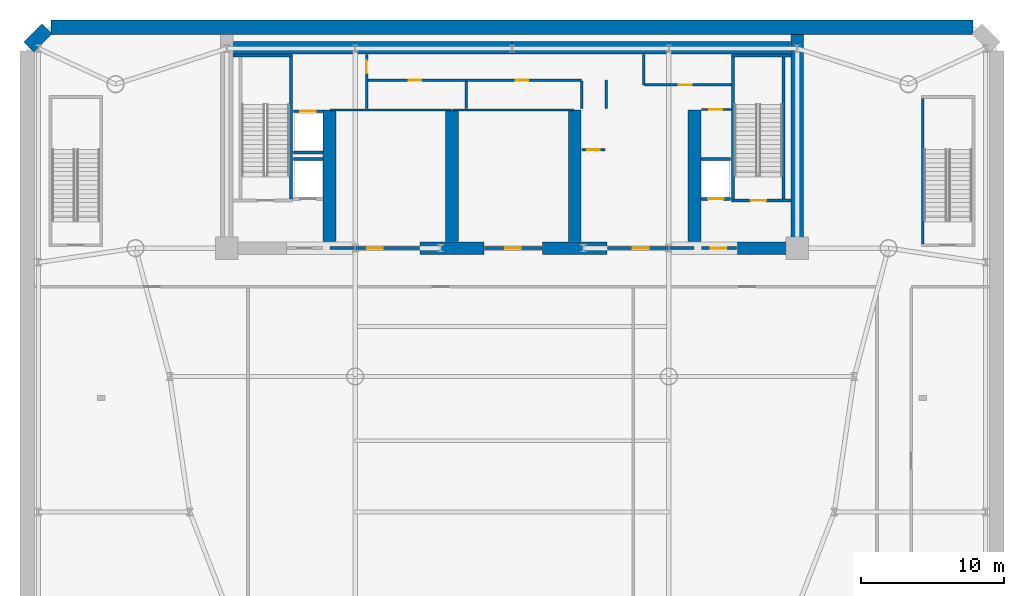
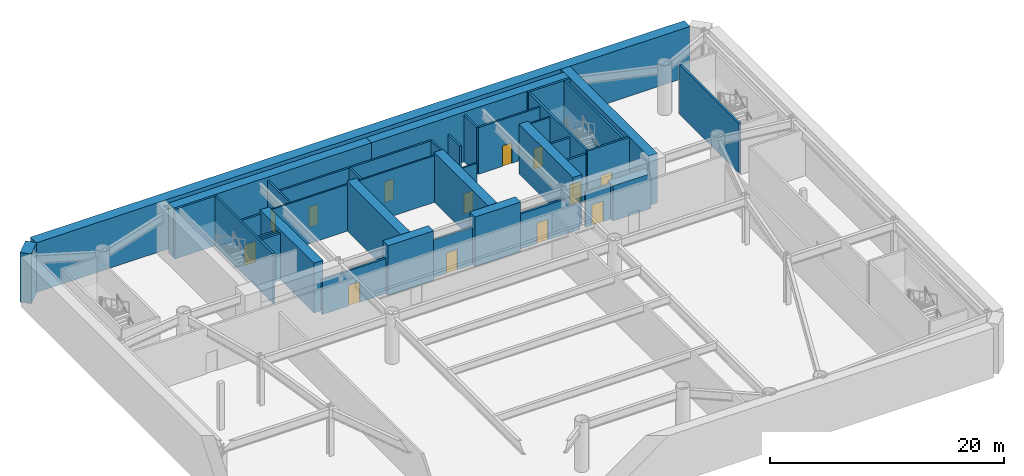
# One storey, part 3 of 9: 39 walls, 13 doors, 13 openings.
"""IFC4 building model written with IfcOpenShell, lengths in metres."""

from ifc_helpers import new_model, si_unit, direction, frame, frame_2d, origin, place, context, subcontext, project, spatial, rectangle, extrude, source, transform, mapped, material, layer, layer_set, type_object, element, fill, save


model = new_model("IFC4")

# Units and contexts
model_context = context("Model", 3, precision=1e-05, world=origin(), true_north=direction((0.0, 1.0)))
body_context = subcontext(model_context, "Body", "Model", "MODEL_VIEW")
ifc_project = project(units=[si_unit("LENGTHUNIT", "METRE"), si_unit("AREAUNIT", "SQUARE_METRE"), si_unit("VOLUMEUNIT", "CUBIC_METRE"), si_unit("PLANEANGLEUNIT", "RADIAN"), si_unit("MASSUNIT", "GRAM", prefix="KILO")], contexts=[model_context])

# Site, building, storey
site_placement = place(None, origin())
site = spatial("IfcSite", under=ifc_project, at=site_placement, CompositionType="ELEMENT")
building_placement = place(site_placement, origin())
building = spatial("IfcBuilding", under=site, at=building_placement, Name="Vaeldorn Concourse Tower", CompositionType="ELEMENT")
storey_placement = place(building_placement, frame((0.0, 0.0, -5.199951171875)))
storey = spatial("IfcBuildingStorey", under=building, at=storey_placement, Name="B01", CompositionType="ELEMENT", Elevation=-5.199951171875)

# Walls
ifc_material_1 = material(Name="Concrete C60/75", Category="concrete")
ifc_layer_1 = layer(ifc_material_1, 0.89990234375)
ifc_layer_set_1 = layer_set([ifc_layer_1], Name="Concrete C60/75")
wall_type_1 = type_object("IfcWallType", Name="WL-CORE-900", PredefinedType="SHEAR", material=ifc_layer_set_1)
for number, where, z_axis, x_axis, name in (
    (1, (14.4541015625, 50.550048828125, 0.0), (0.0, 0.0, 1.0), (1.0, 0.0, 0.0), "Rear Core Shear Wall B01 N1"),
    (2, (34.001953125, 50.550048828125, 0.0), (0.0, 0.0, 1.0), (1.0, 0.0, 0.0), "Rear Core Shear Wall B01 N2"),
):
    element("IfcWall", number, at=place(storey_placement, frame(where, z_axis=z_axis, x_axis=x_axis)), inside=storey, type_object=wall_type_1, Name=name, PredefinedType="SHEAR", context=body_context, shape_type="SweptSolid", body=[
        extrude(rectangle(XDim=19.5439453125, YDim=0.89990234375, at=frame_2d((9.77197265625, 0.0))), origin(), (0.0, 0.0, 1.0), 5.199951171875),
    ])
wall_1_placement = place(storey_placement, frame((54.0, 36.5, 0.0), z_axis=(0.0, 0.0, 1.0), x_axis=(0.0, 1.0, 0.0)))
element("IfcWall", 3, at=wall_1_placement, inside=storey, type_object=wall_type_1, Name="Rear Core Shear Wall B01 E1", PredefinedType="SHEAR", context=body_context, shape_type="SweptSolid", body=[
    extrude(rectangle(XDim=15.0, YDim=0.89990234375, at=frame_2d((7.5, 0.0))), origin(), (0.0, 0.0, 1.0), 5.199951171875),
])
for number, where, z_axis, x_axis, name in (
    (4, (27.550048828125, 36.5, 0.0), (0.0, 0.0, 1.0), (1.0, 0.0, 0.0), "Rear Core Shear Wall B01 S2"),
    (5, (36.14990234375, 36.5, 0.0), (0.0, 0.0, 1.0), (1.0, 0.0, 0.0), "Rear Core Shear Wall B01 S3"),
):
    element("IfcWall", number, at=place(storey_placement, frame(where, z_axis=z_axis, x_axis=x_axis)), inside=storey, type_object=wall_type_1, Name=name, PredefinedType="SHEAR", context=body_context, shape_type="SweptSolid", body=[
        extrude(rectangle(XDim=4.5, YDim=0.89990234375, at=frame_2d((2.25, 0.0))), origin(), (0.0, 0.0, 1.0), 5.199951171875),
    ])
wall_2_placement = place(storey_placement, frame((49.800048828125, 36.5, 0.0), z_axis=(0.0, 0.0, 1.0), x_axis=(1.0, 0.0, 0.0)))
element("IfcWall", 6, at=wall_2_placement, inside=storey, type_object=wall_type_1, Name="Rear Core Shear Wall B01 S4", PredefinedType="SHEAR", context=body_context, shape_type="SweptSolid", body=[
    extrude(rectangle(XDim=3.72998046875, YDim=0.89990234375, at=frame_2d((1.864990234375, 0.0))), origin(), (0.0, 0.0, 1.0), 3.679931640625),
])
for number, where, z_axis, x_axis, name in (
    (7, (21.199951171875, 36.969970703125, 0.0), (0.0, 0.0, 1.0), (0.0, 1.0, 0.0), "Rear Core Shear Wall B01 M1"),
    (8, (29.800048828125, 36.969970703125, 0.0), (0.0, 0.0, 1.0), (0.0, 1.0, 0.0), "Rear Core Shear Wall B01 M2"),
    (9, (38.39990234375, 36.969970703125, 0.0), (0.0, 0.0, 1.0), (0.0, 1.0, 0.0), "Rear Core Shear Wall B01 M3"),
    (10, (46.800048828125, 36.969970703125, 0.0), (0.0, 0.0, 1.0), (0.0, 1.0, 0.0), "Rear Core Shear Wall B01 M4"),
):
    element("IfcWall", number, at=place(storey_placement, frame(where, z_axis=z_axis, x_axis=x_axis)), inside=storey, type_object=wall_type_1, Name=name, PredefinedType="SHEAR", context=body_context, shape_type="SweptSolid", body=[
        extrude(rectangle(XDim=9.22998046875, YDim=0.89990234375, at=frame_2d((4.614990234375, 0.0))), origin(), (0.0, 0.0, 1.0), 5.199951171875),
    ])
ifc_material_2 = material(Name="Concrete C50/60", Category="concrete")
ifc_layer_2 = layer(ifc_material_2, 1.0)
ifc_layer_set_2 = layer_set([ifc_layer_2], Name="Concrete C50/60")
wall_type_2 = type_object("IfcWallType", Name="WL-DIAPH-1000", PredefinedType="STANDARD", material=ifc_layer_set_2)
wall_3_placement = place(storey_placement, frame((66.340087890625, 52.0, 0.0), z_axis=(0.0, 0.0, 1.0), x_axis=(-1.0, 0.0, 0.0)))
element("IfcWall", 11, at=wall_3_placement, inside=storey, type_object=wall_type_2, Name="Substructure Diaphragm Wall B01-05", PredefinedType="STANDARD", context=body_context, shape_type="SweptSolid", body=[
    extrude(rectangle(XDim=64.68017578125, YDim=1.0, at=frame_2d((32.340087890625, 0.0))), origin(), (0.0, 0.0, 1.0), 5.199951171875),
])
wall_4_placement = place(storey_placement, frame((1.386962890625, 51.886962890625, 0.0), z_axis=(0.0, 0.0, 1.0), x_axis=(-0.707106781187, -0.707106781187, 0.0)))
element("IfcWall", 12, at=wall_4_placement, inside=storey, type_object=wall_type_2, Name="Substructure Diaphragm Wall B01-06", PredefinedType="STANDARD", context=body_context, shape_type="SweptSolid", body=[
    extrude(rectangle(XDim=1.801513671875, YDim=1.0, at=frame_2d((0.90087890625, 0.0))), origin(), (0.0, 0.0, 1.0), 5.199951171875),
])
ifc_material_3 = material(Name="Gypsum Board Partition", Category="gypsum")
ifc_layer_3 = layer(ifc_material_3, 0.14990234375)
ifc_layer_set_3 = layer_set([ifc_layer_3], Name="Gypsum Board Partition")
wall_type_3 = type_object("IfcWallType", Name="WL-PART-150", PredefinedType="PARTITIONING", material=ifc_layer_set_3)
for number, where, z_axis, x_axis, name in (
    (13, (21.25, 46.199951171875, 0.0), (0.0, 0.0, 1.0), (1.0, 0.0, 0.0), "Interior Wall CW-B01-B1N"),
    (14, (29.85009765625, 46.199951171875, 0.0), (0.0, 0.0, 1.0), (1.0, 0.0, 0.0), "Interior Wall CW-B01-B2N"),
):
    element("IfcWall", number, at=place(storey_placement, frame(where, z_axis=z_axis, x_axis=x_axis)), inside=storey, type_object=wall_type_3, Name=name, PredefinedType="PARTITIONING", context=body_context, shape_type="SweptSolid", body=[
        extrude(rectangle(XDim=8.5, YDim=0.14990234375, at=frame_2d((4.25, 0.0))), origin(), (0.0, 0.0, 1.0), 4.8798828125),
    ])

# Wall, opening, door
wall_5_placement = place(storey_placement, frame((47.280029296875, 46.219970703125, 0.0), z_axis=(0.0, 0.0, 1.0), x_axis=(1.0, 0.0, 0.0)))
wall_5 = element("IfcWall", 15, at=wall_5_placement, inside=storey, type_object=wall_type_3, Name="Interior Wall CW-B01-CRSE-N", PredefinedType="PARTITIONING", context=body_context, shape_type="SweptSolid", body=[
    extrude(rectangle(XDim=2.099853515625, YDim=0.14990234375, at=frame_2d((1.0498046875, 0.0))), origin(), (0.0, 0.0, 1.0), 4.8798828125),
])
opening_1_placement = place(wall_5_placement, frame((0.550048828125, 0.0, 0.0)))
opening_1 = element("IfcOpeningElement", 16, at=opening_1_placement, cuts=wall_5, Name="Opening D-02", PredefinedType="OPENING", context=body_context, shape_type="SweptSolid", body=[
    extrude(rectangle(XDim=0.89990234375, YDim=2.10009765625, at=frame_2d((0.449951171875, 1.050048828125))), frame((0.0, 0.0849609375, 0.0), z_axis=(0.0, -1.0, 0.0), x_axis=(1.0, 0.0, 0.0)), (0.0, 0.0, 1.0), 0.169921875),
])
ifc_material_4 = material(Name="Fire-Rated Timber Leaf", Category="wood")
door_type_1 = type_object("IfcDoorType", Name="DR-FD30-900", OperationType="NOTDEFINED", PredefinedType="DOOR", material=ifc_material_4)
shared_shape_1 = source(origin(), body_context, "Body", "SweptSolid", [
    extrude(rectangle(XDim=0.89990234375, YDim=2.10009765625, at=frame_2d((0.449951171875, 1.050048828125))), frame((0.0, 0.02490234375, 0.0), z_axis=(0.0, -1.0, 0.0), x_axis=(1.0, 0.0, 0.0)), (0.0, 0.0, 1.0), 0.050048828125),
])
door_1_placement = place(opening_1_placement, origin())
door_1 = element("IfcDoor", 17, at=door_1_placement, inside=storey, type_object=door_type_1, Name="Interior Door DR-B01-CRSE", OperationType="SINGLE_SWING_RIGHT", OverallHeight=2.10009765625, OverallWidth=0.89990234375, PredefinedType="DOOR", context=body_context, shape_type="MappedRepresentation", body=[
    mapped(shared_shape_1, transform((0.0, 0.0, 0.0), scale=1.0)),
])
fill(opening_1, door_1)

wall_6_placement = place(storey_placement, frame((38.919921875, 43.39990234375, 0.0), z_axis=(0.0, 0.0, 1.0), x_axis=(1.0, 0.0, 0.0)))
wall_6 = element("IfcWall", 18, at=wall_6_placement, inside=storey, type_object=wall_type_3, Name="Interior Wall CW-B01-CCLINK", PredefinedType="PARTITIONING", context=body_context, shape_type="SweptSolid", body=[
    extrude(rectangle(XDim=1.60009765625, YDim=0.14990234375, at=frame_2d((0.800048828125, 0.0))), origin(), (0.0, 0.0, 1.0), 4.8798828125),
])
opening_2_placement = place(wall_6_placement, frame((0.35009765625, 0.0, 0.0)))
opening_2 = element("IfcOpeningElement", 19, at=opening_2_placement, cuts=wall_6, Name="Opening D-02", PredefinedType="OPENING", context=body_context, shape_type="SweptSolid", body=[
    extrude(rectangle(XDim=0.89990234375, YDim=2.10009765625, at=frame_2d((0.449951171875, 1.050048828125))), frame((0.0, 0.0849609375, 0.0), z_axis=(0.0, -1.0, 0.0), x_axis=(1.0, 0.0, 0.0)), (0.0, 0.0, 1.0), 0.169921875),
])
door_2_placement = place(opening_2_placement, origin())
door_2 = element("IfcDoor", 20, at=door_2_placement, inside=storey, type_object=door_type_1, Name="Interior Door DR-B01-CCLINK", OperationType="SINGLE_SWING_LEFT", OverallHeight=2.10009765625, OverallWidth=0.89990234375, PredefinedType="DOOR", context=body_context, shape_type="MappedRepresentation", body=[
    mapped(shared_shape_1, transform((0.0, 0.0, 0.0), scale=1.0)),
])
fill(opening_2, door_2)

# Wall, openings, doors
ifc_layer_4 = layer(ifc_material_3, 0.179931640625)
ifc_layer_set_4 = layer_set([ifc_layer_4], Name="Gypsum Board Partition")
wall_type_4 = type_object("IfcWallType", Name="WL-PLUMB-180", PredefinedType="PLUMBINGWALL", material=ifc_layer_set_4)
wall_7_placement = place(storey_placement, frame((23.85009765625, 48.280029296875, 0.0), z_axis=(0.0, 0.0, 1.0), x_axis=(1.0, 0.0, 0.0)))
wall_7 = element("IfcWall", 21, at=wall_7_placement, inside=storey, type_object=wall_type_4, Name="Interior Wall CW-B01-NS2W", PredefinedType="PLUMBINGWALL", context=body_context, shape_type="SweptSolid", body=[
    extrude(rectangle(XDim=15.02978515625, YDim=0.179931640625, at=frame_2d((7.514892578125, 0.0))), origin(), (0.0, 0.0, 1.0), 4.8798828125),
])
opening_3_placement = place(wall_7_placement, frame((2.89990234375, 0.0, 0.0)))
opening_3 = element("IfcOpeningElement", 22, at=opening_3_placement, cuts=wall_7, Name="Opening D-03", PredefinedType="OPENING", context=body_context, shape_type="SweptSolid", body=[
    extrude(rectangle(XDim=0.89990234375, YDim=2.14990234375, at=frame_2d((0.449951171875, 1.074951171875))), frame((0.0, 0.10009765625, 0.0), z_axis=(0.0, -1.0, 0.0), x_axis=(1.0, 0.0, 0.0)), (0.0, 0.0, 1.0), 0.199951171875),
])
opening_4_placement = place(wall_7_placement, frame((10.39990234375, 0.0, 0.0)))
opening_4 = element("IfcOpeningElement", 23, at=opening_4_placement, cuts=wall_7, Name="Opening D-03", PredefinedType="OPENING", context=body_context, shape_type="SweptSolid", body=[
    extrude(rectangle(XDim=0.89990234375, YDim=2.14990234375, at=frame_2d((0.449951171875, 1.074951171875))), frame((0.0, 0.10009765625, 0.0), z_axis=(0.0, -1.0, 0.0), x_axis=(1.0, 0.0, 0.0)), (0.0, 0.0, 1.0), 0.199951171875),
])
ifc_material_5 = material(Name="Acoustic Bronze-Framed Glass Door", Category="glass")
door_type_2 = type_object("IfcDoorType", Name="DR-INT-900", OperationType="NOTDEFINED", PredefinedType="DOOR", material=ifc_material_5)
shared_shape_2 = source(origin(), body_context, "Body", "SweptSolid", [
    extrude(rectangle(XDim=0.89990234375, YDim=2.14990234375, at=frame_2d((0.449951171875, 1.074951171875))), frame((0.0, 0.02490234375, 0.0), z_axis=(0.0, -1.0, 0.0), x_axis=(1.0, 0.0, 0.0)), (0.0, 0.0, 1.0), 0.050048828125),
])
door_3_placement = place(opening_3_placement, origin())
door_3 = element("IfcDoor", 24, at=door_3_placement, inside=storey, type_object=door_type_2, Name="Interior Door DR-B01-CS2", OperationType="SINGLE_SWING_RIGHT", OverallHeight=2.14990234375, OverallWidth=0.89990234375, PredefinedType="DOOR", context=body_context, shape_type="MappedRepresentation", body=[
    mapped(shared_shape_2, transform((0.0, 0.0, 0.0), scale=1.0)),
])
fill(opening_3, door_3)
door_4_placement = place(opening_4_placement, origin())
door_4 = element("IfcDoor", 25, at=door_4_placement, inside=storey, type_object=door_type_2, Name="Interior Door DR-B01-CS3", OperationType="SINGLE_SWING_LEFT", OverallHeight=2.14990234375, OverallWidth=0.89990234375, PredefinedType="DOOR", context=body_context, shape_type="MappedRepresentation", body=[
    mapped(shared_shape_2, transform((0.0, 0.0, 0.0), scale=1.0)),
])
fill(opening_4, door_4)

# Wall, opening, door
wall_8_placement = place(storey_placement, frame((23.800048828125, 46.280029296875, 0.0), z_axis=(0.0, 0.0, 1.0), x_axis=(0.0, 1.0, 0.0)))
wall_8 = element("IfcWall", 26, at=wall_8_placement, inside=storey, type_object=wall_type_4, Name="Interior Wall CW-B01-SDIV1", PredefinedType="PLUMBINGWALL", context=body_context, shape_type="SweptSolid", body=[
    extrude(rectangle(XDim=3.800048828125, YDim=0.179931640625, at=frame_2d((1.89990234375, 0.0))), origin(), (0.0, 0.0, 1.0), 4.8798828125),
])
opening_5_placement = place(wall_8_placement, frame((2.485107421875, 0.0, 0.0)))
opening_5 = element("IfcOpeningElement", 27, at=opening_5_placement, cuts=wall_8, Name="Opening D-03", PredefinedType="OPENING", context=body_context, shape_type="SweptSolid", body=[
    extrude(rectangle(XDim=0.89990234375, YDim=2.14990234375, at=frame_2d((0.449951171875, 1.074951171875))), frame((0.0, 0.10009765625, 0.0), z_axis=(0.0, -1.0, 0.0), x_axis=(1.0, 0.0, 0.0)), (0.0, 0.0, 1.0), 0.199951171875),
])
door_5_placement = place(opening_5_placement, origin())
door_5 = element("IfcDoor", 28, at=door_5_placement, inside=storey, type_object=door_type_2, Name="Interior Door DR-B01-CS1", OperationType="SINGLE_SWING_LEFT", OverallHeight=2.14990234375, OverallWidth=0.89990234375, PredefinedType="DOOR", context=body_context, shape_type="MappedRepresentation", body=[
    mapped(shared_shape_2, transform((0.0, 0.0, 0.0), scale=1.0)),
])
fill(opening_5, door_5)

# Walls
for number, where, z_axis, x_axis, name in (
    (29, (30.800048828125, 46.280029296875, 0.0), (0.0, 0.0, 1.0), (0.0, 1.0, 0.0), "Interior Wall CW-B01-SDIV2"),
    (30, (38.8798828125, 46.280029296875, 0.0), (0.0, 0.0, 1.0), (0.0, 1.0, 0.0), "Interior Wall CW-B01-SDIV4"),
):
    element("IfcWall", number, at=place(storey_placement, frame(where, z_axis=z_axis, x_axis=x_axis)), inside=storey, type_object=wall_type_4, Name=name, PredefinedType="PLUMBINGWALL", context=body_context, shape_type="SweptSolid", body=[
        extrude(rectangle(XDim=1.93994140625, YDim=0.179931640625, at=frame_2d((0.969970703125, 0.0))), origin(), (0.0, 0.0, 1.0), 4.8798828125),
    ])
wall_9_placement = place(storey_placement, frame((40.6201171875, 46.280029296875, 0.0), z_axis=(0.0, 0.0, 1.0), x_axis=(0.0, 1.0, 0.0)))
element("IfcWall", 31, at=wall_9_placement, inside=storey, type_object=wall_type_4, Name="Interior Wall CW-B01-SDIV5", PredefinedType="PLUMBINGWALL", context=body_context, shape_type="SweptSolid", body=[
    extrude(rectangle(XDim=2.0, YDim=0.179931640625, at=frame_2d((1.0, 0.0))), origin(), (0.0, 0.0, 1.0), 4.8798828125),
])
wall_10_placement = place(storey_placement, frame((43.25, 47.949951171875, 0.0), z_axis=(0.0, 0.0, 1.0), x_axis=(0.0, 1.0, 0.0)))
element("IfcWall", 32, at=wall_10_placement, inside=storey, type_object=wall_type_4, Name="Interior Wall CW-B01-SDIV6", PredefinedType="PLUMBINGWALL", context=body_context, shape_type="SweptSolid", body=[
    extrude(rectangle(XDim=2.130126953125, YDim=0.179931640625, at=frame_2d((1.06494140625, 0.0))), origin(), (0.0, 0.0, 1.0), 4.8798828125),
])

# Wall, opening, door
wall_11_placement = place(storey_placement, frame((43.300048828125, 47.949951171875, 0.0), z_axis=(0.0, 0.0, 1.0), x_axis=(1.0, 0.0, 0.0)))
wall_11 = element("IfcWall", 33, at=wall_11_placement, inside=storey, type_object=wall_type_4, Name="Interior Wall CW-B01-NS2EE", PredefinedType="PLUMBINGWALL", context=body_context, shape_type="SweptSolid", body=[
    extrude(rectangle(XDim=6.079833984375, YDim=0.179931640625, at=frame_2d((3.0400390625, 0.0))), origin(), (0.0, 0.0, 1.0), 4.8798828125),
])
opening_6_placement = place(wall_11_placement, frame((2.39990234375, 0.0, 0.0)))
opening_6 = element("IfcOpeningElement", 34, at=opening_6_placement, cuts=wall_11, Name="Opening D-03", PredefinedType="OPENING", context=body_context, shape_type="SweptSolid", body=[
    extrude(rectangle(XDim=0.89990234375, YDim=2.14990234375, at=frame_2d((0.449951171875, 1.074951171875))), frame((0.0, 0.10009765625, 0.0), z_axis=(0.0, -1.0, 0.0), x_axis=(1.0, 0.0, 0.0)), (0.0, 0.0, 1.0), 0.199951171875),
])
door_6_placement = place(opening_6_placement, origin())
door_6 = element("IfcDoor", 35, at=door_6_placement, inside=storey, type_object=door_type_2, Name="Interior Door DR-B01-CS5", OperationType="SINGLE_SWING_RIGHT", OverallHeight=2.14990234375, OverallWidth=0.89990234375, PredefinedType="DOOR", context=body_context, shape_type="MappedRepresentation", body=[
    mapped(shared_shape_2, transform((0.0, 0.0, 0.0), scale=1.0)),
])
fill(opening_6, door_6)

# Walls
ifc_layer_5 = layer(ifc_material_2, 0.199951171875)
ifc_layer_set_5 = layer_set([ifc_layer_5], Name="Concrete C50/60")
wall_type_5 = type_object("IfcWallType", Name="WL-SHAFT-200", PredefinedType="SOLIDWALL", material=ifc_layer_set_5)
wall_12_placement = place(storey_placement, frame((14.449951171875, 50.0, 0.0), z_axis=(0.0, 0.0, 1.0), x_axis=(1.0, 0.0, 0.0)))
element("IfcWall", 36, at=wall_12_placement, inside=storey, type_object=wall_type_5, Name="Stair Shaft Wall CW-B01-ST-1-N", PredefinedType="SOLIDWALL", context=body_context, shape_type="SweptSolid", body=[
    extrude(rectangle(XDim=4.150146484375, YDim=0.199951171875, at=frame_2d((2.0751953125, 0.0))), origin(), (0.0, 0.0, 1.0), 5.199951171875),
])
wall_13_placement = place(storey_placement, frame((18.5, 39.9599609375, 0.0), z_axis=(0.0, 0.0, 1.0), x_axis=(0.0, 1.0, 0.0)))
element("IfcWall", 37, at=wall_13_placement, inside=storey, type_object=wall_type_5, Name="Stair Shaft Wall CW-B01-ST-1-E", PredefinedType="SOLIDWALL", context=body_context, shape_type="SweptSolid", body=[
    extrude(rectangle(XDim=9.929931640625, YDim=0.199951171875, at=frame_2d((4.96484375, 0.0))), origin(), (0.0, 0.0, 1.0), 5.199951171875),
])

# Wall, opening, door
wall_14_placement = place(storey_placement, frame((49.39990234375, 39.85009765625, 0.0), z_axis=(0.0, 0.0, 1.0), x_axis=(1.0, 0.0, 0.0)))
wall_14 = element("IfcWall", 38, at=wall_14_placement, inside=storey, type_object=wall_type_5, Name="Stair Shaft Wall CW-B01-ST-2-S", PredefinedType="SOLIDWALL", context=body_context, shape_type="SweptSolid", body=[
    extrude(rectangle(XDim=4.150146484375, YDim=0.199951171875, at=frame_2d((2.0751953125, 0.0))), origin(), (0.0, 0.0, 1.0), 5.199951171875),
])
opening_7_placement = place(wall_14_placement, frame((1.324951171875, 0.0, 0.0)))
opening_7 = element("IfcOpeningElement", 39, at=opening_7_placement, cuts=wall_14, Name="Opening D-01", PredefinedType="OPENING", context=body_context, shape_type="SweptSolid", body=[
    extrude(rectangle(XDim=1.10009765625, YDim=2.14990234375, at=frame_2d((0.550048828125, 1.074951171875))), frame((0.0, 0.10986328125, 0.0), z_axis=(0.0, -1.0, 0.0), x_axis=(1.0, 0.0, 0.0)), (0.0, 0.0, 1.0), 0.219970703125),
])
ifc_material_6 = material(Name="Fire-Rated Timber and Steel Leaf", Category="steel")
door_type_3 = type_object("IfcDoorType", Name="DR-FD60-1100", OperationType="NOTDEFINED", PredefinedType="DOOR", material=ifc_material_6)
shared_shape_3 = source(origin(), body_context, "Body", "SweptSolid", [
    extrude(rectangle(XDim=1.10009765625, YDim=2.14990234375, at=frame_2d((0.550048828125, 1.074951171875))), frame((0.0, 0.02490234375, 0.0), z_axis=(0.0, -1.0, 0.0), x_axis=(1.0, 0.0, 0.0)), (0.0, 0.0, 1.0), 0.050048828125),
])
door_7_placement = place(opening_7_placement, origin())
door_7 = element("IfcDoor", 40, at=door_7_placement, inside=storey, type_object=door_type_3, Name="Interior Door DR-B01-ST-2", OperationType="SINGLE_SWING_RIGHT", OverallHeight=2.14990234375, OverallWidth=1.10009765625, PredefinedType="DOOR", context=body_context, shape_type="MappedRepresentation", body=[
    mapped(shared_shape_3, transform((0.0, 0.0, 0.0), scale=1.0)),
])
fill(opening_7, door_7)

# Walls
wall_15_placement = place(storey_placement, frame((49.39990234375, 50.0, 0.0), z_axis=(0.0, 0.0, 1.0), x_axis=(1.0, 0.0, 0.0)))
element("IfcWall", 41, at=wall_15_placement, inside=storey, type_object=wall_type_5, Name="Stair Shaft Wall CW-B01-ST-2-N", PredefinedType="SOLIDWALL", context=body_context, shape_type="SweptSolid", body=[
    extrude(rectangle(XDim=4.150146484375, YDim=0.199951171875, at=frame_2d((2.0751953125, 0.0))), origin(), (0.0, 0.0, 1.0), 5.199951171875),
])
for number, where, z_axis, x_axis, name in (
    (42, (49.5, 39.9599609375, 0.0), (0.0, 0.0, 1.0), (0.0, 1.0, 0.0), "Stair Shaft Wall CW-B01-ST-2-W"),
    (43, (53.050048828125, 39.9599609375, 0.0), (0.0, 0.0, 1.0), (0.0, 1.0, 0.0), "Stair Shaft Wall CW-B01-ST-2-E"),
):
    element("IfcWall", number, at=place(storey_placement, frame(where, z_axis=z_axis, x_axis=x_axis)), inside=storey, type_object=wall_type_5, Name=name, PredefinedType="SOLIDWALL", context=body_context, shape_type="SweptSolid", body=[
        extrude(rectangle(XDim=9.929931640625, YDim=0.199951171875, at=frame_2d((4.96484375, 0.0))), origin(), (0.0, 0.0, 1.0), 5.199951171875),
    ])

# Wall, opening, door
wall_16_placement = place(storey_placement, frame((47.280029296875, 36.5, 0.0), z_axis=(0.0, 0.0, 1.0), x_axis=(1.0, 0.0, 0.0)))
wall_16 = element("IfcWall", 44, at=wall_16_placement, inside=storey, type_object=wall_type_5, Name="Interior Wall CW-B01-FF2S", PredefinedType="SOLIDWALL", context=body_context, shape_type="SweptSolid", body=[
    extrude(rectangle(XDim=2.469970703125, YDim=0.199951171875, at=frame_2d((1.23486328125, 0.0))), origin(), (0.0, 0.0, 1.0), 3.669921875),
])
opening_8_placement = place(wall_16_placement, frame((0.64990234375, 0.0, 0.0)))
opening_8 = element("IfcOpeningElement", 45, at=opening_8_placement, cuts=wall_16, Name="Opening D-01", PredefinedType="OPENING", context=body_context, shape_type="SweptSolid", body=[
    extrude(rectangle(XDim=1.10009765625, YDim=2.14990234375, at=frame_2d((0.550048828125, 1.074951171875))), frame((0.0, 0.10986328125, 0.0), z_axis=(0.0, -1.0, 0.0), x_axis=(1.0, 0.0, 0.0)), (0.0, 0.0, 1.0), 0.219970703125),
])
door_8_placement = place(opening_8_placement, origin())
door_8 = element("IfcDoor", 46, at=door_8_placement, inside=storey, type_object=door_type_3, Name="Interior Door DR-B01-FF2W", OperationType="SINGLE_SWING_LEFT", OverallHeight=2.14990234375, OverallWidth=1.10009765625, PredefinedType="DOOR", context=body_context, shape_type="MappedRepresentation", body=[
    mapped(shared_shape_3, transform((0.0, 0.0, 0.0), scale=1.0)),
])
fill(opening_8, door_8)

wall_17_placement = place(storey_placement, frame((18.669921875, 46.10009765625, 0.0), z_axis=(0.0, 0.0, 1.0), x_axis=(1.0, 0.0, 0.0)))
wall_17 = element("IfcWall", 47, at=wall_17_placement, inside=storey, type_object=wall_type_5, Name="Interior Wall CW-B01-LF-LF-SV1", PredefinedType="SOLIDWALL", context=body_context, shape_type="SweptSolid", body=[
    extrude(rectangle(XDim=2.070068359375, YDim=0.199951171875, at=frame_2d((1.03515625, 0.0))), origin(), (0.0, 0.0, 1.0), 4.8798828125),
])
opening_9_placement = place(wall_17_placement, frame((0.485107421875, 0.0, 0.0)))
opening_9 = element("IfcOpeningElement", 48, at=opening_9_placement, cuts=wall_17, Name="Opening LD-1", PredefinedType="OPENING", context=body_context, shape_type="SweptSolid", body=[
    extrude(rectangle(XDim=1.10009765625, YDim=2.14990234375, at=frame_2d((0.550048828125, 1.074951171875))), frame((0.0, 0.10986328125, 0.0), z_axis=(0.0, -1.0, 0.0), x_axis=(1.0, 0.0, 0.0)), (0.0, 0.0, 1.0), 0.219970703125),
])
ifc_material_7 = material(Name="Anodised Bronze Aluminium", Category="aluminium")
door_type_4 = type_object("IfcDoorType", Name="DR-LIFT-SLIDE-1100", OperationType="DOUBLE_DOOR_SLIDING", PredefinedType="DOOR", material=ifc_material_7)
door_9_placement = place(opening_9_placement, origin())
door_9 = element("IfcDoor", 49, at=door_9_placement, inside=storey, type_object=door_type_4, Name="Lift Landing Door LD-B01-LF-SV1", OperationType="DOUBLE_DOOR_SLIDING", OverallHeight=2.14990234375, OverallWidth=1.10009765625, PredefinedType="DOOR", context=body_context, shape_type="MappedRepresentation", body=[
    mapped(shared_shape_3, transform((0.0, 0.0, 0.0), scale=1.0)),
])
fill(opening_9, door_9)

# Walls
for number, where, z_axis, x_axis, name in (
    (50, (18.669921875, 43.199951171875, 0.0), (0.0, 0.0, 1.0), (1.0, 0.0, 0.0), "Interior Wall CW-B01-LFB-LF-SV1"),
    (51, (18.669921875, 42.75, 0.0), (0.0, 0.0, 1.0), (1.0, 0.0, 0.0), "Interior Wall CW-B01-LFB-LF-FF1"),
):
    element("IfcWall", number, at=place(storey_placement, frame(where, z_axis=z_axis, x_axis=x_axis)), inside=storey, type_object=wall_type_5, Name=name, PredefinedType="SOLIDWALL", context=body_context, shape_type="SweptSolid", body=[
        extrude(rectangle(XDim=2.070068359375, YDim=0.199951171875, at=frame_2d((1.03515625, 0.0))), origin(), (0.0, 0.0, 1.0), 4.8798828125),
    ])

# Wall, opening, door
wall_18_placement = place(storey_placement, frame((47.260009765625, 39.949951171875, 0.0), z_axis=(0.0, 0.0, 1.0), x_axis=(1.0, 0.0, 0.0)))
wall_18 = element("IfcWall", 52, at=wall_18_placement, inside=storey, type_object=wall_type_5, Name="Interior Wall CW-B01-LF-LF-FF2", PredefinedType="SOLIDWALL", context=body_context, shape_type="SweptSolid", body=[
    extrude(rectangle(XDim=2.070068359375, YDim=0.199951171875, at=frame_2d((1.03515625, 0.0))), origin(), (0.0, 0.0, 1.0), 4.8798828125),
])
opening_10_placement = place(wall_18_placement, frame((0.485107421875, 0.0, 0.0)))
opening_10 = element("IfcOpeningElement", 53, at=opening_10_placement, cuts=wall_18, Name="Opening LD-1", PredefinedType="OPENING", context=body_context, shape_type="SweptSolid", body=[
    extrude(rectangle(XDim=1.10009765625, YDim=2.14990234375, at=frame_2d((0.550048828125, 1.074951171875))), frame((0.0, 0.10986328125, 0.0), z_axis=(0.0, -1.0, 0.0), x_axis=(1.0, 0.0, 0.0)), (0.0, 0.0, 1.0), 0.219970703125),
])
door_10_placement = place(opening_10_placement, origin())
door_10 = element("IfcDoor", 54, at=door_10_placement, inside=storey, type_object=door_type_4, Name="Lift Landing Door LD-B01-LF-FF2", OperationType="DOUBLE_DOOR_SLIDING", OverallHeight=2.14990234375, OverallWidth=1.10009765625, PredefinedType="DOOR", context=body_context, shape_type="MappedRepresentation", body=[
    mapped(shared_shape_3, transform((0.0, 0.0, 0.0), scale=1.0)),
])
fill(opening_10, door_10)

# Wall
wall_19_placement = place(storey_placement, frame((47.260009765625, 42.75, 0.0), z_axis=(0.0, 0.0, 1.0), x_axis=(1.0, 0.0, 0.0)))
element("IfcWall", 55, at=wall_19_placement, inside=storey, type_object=wall_type_5, Name="Interior Wall CW-B01-LFB-LF-FF2", PredefinedType="SOLIDWALL", context=body_context, shape_type="SweptSolid", body=[
    extrude(rectangle(XDim=2.070068359375, YDim=0.199951171875, at=frame_2d((1.03515625, 0.0))), origin(), (0.0, 0.0, 1.0), 4.8798828125),
])

# Wall, opening, door
wall_20_placement = place(storey_placement, frame((21.25, 36.5, 0.0), z_axis=(0.0, 0.0, 1.0), x_axis=(1.0, 0.0, 0.0)))
wall_20 = element("IfcWall", 56, at=wall_20_placement, inside=storey, type_object=wall_type_5, Name="Interior Wall CW-B01-B1CL", PredefinedType="SOLIDWALL", context=body_context, shape_type="SweptSolid", body=[
    extrude(rectangle(XDim=6.27001953125, YDim=0.199951171875, at=frame_2d((3.135009765625, 0.0))), origin(), (0.0, 0.0, 1.0), 3.669921875),
])
opening_11_placement = place(wall_20_placement, frame((2.60009765625, 0.0, 0.0)))
opening_11 = element("IfcOpeningElement", 57, at=opening_11_placement, cuts=wall_20, Name="Opening D-01", PredefinedType="OPENING", context=body_context, shape_type="SweptSolid", body=[
    extrude(rectangle(XDim=1.10009765625, YDim=2.14990234375, at=frame_2d((0.550048828125, 1.074951171875))), frame((0.0, 0.10986328125, 0.0), z_axis=(0.0, -1.0, 0.0), x_axis=(1.0, 0.0, 0.0)), (0.0, 0.0, 1.0), 0.219970703125),
])
door_11_placement = place(opening_11_placement, origin())
door_11 = element("IfcDoor", 58, at=door_11_placement, inside=storey, type_object=door_type_3, Name="Interior Door DR-B01-B1CL", OperationType="SINGLE_SWING_LEFT", OverallHeight=2.14990234375, OverallWidth=1.10009765625, PredefinedType="DOOR", context=body_context, shape_type="MappedRepresentation", body=[
    mapped(shared_shape_3, transform((0.0, 0.0, 0.0), scale=1.0)),
])
fill(opening_11, door_11)

wall_21_placement = place(storey_placement, frame((32.080078125, 36.5, 0.0), z_axis=(0.0, 0.0, 1.0), x_axis=(1.0, 0.0, 0.0)))
wall_21 = element("IfcWall", 59, at=wall_21_placement, inside=storey, type_object=wall_type_5, Name="Interior Wall CW-B01-B2CL", PredefinedType="SOLIDWALL", context=body_context, shape_type="SweptSolid", body=[
    extrude(rectangle(XDim=4.0400390625, YDim=0.199951171875, at=frame_2d((2.02001953125, 0.0))), origin(), (0.0, 0.0, 1.0), 3.9599609375),
])
opening_12_placement = place(wall_21_placement, frame((1.449951171875, 0.0, 0.0)))
opening_12 = element("IfcOpeningElement", 60, at=opening_12_placement, cuts=wall_21, Name="Opening D-01", PredefinedType="OPENING", context=body_context, shape_type="SweptSolid", body=[
    extrude(rectangle(XDim=1.10009765625, YDim=2.14990234375, at=frame_2d((0.550048828125, 1.074951171875))), frame((0.0, 0.10986328125, 0.0), z_axis=(0.0, -1.0, 0.0), x_axis=(1.0, 0.0, 0.0)), (0.0, 0.0, 1.0), 0.219970703125),
])
door_12_placement = place(opening_12_placement, origin())
door_12 = element("IfcDoor", 61, at=door_12_placement, inside=storey, type_object=door_type_3, Name="Interior Door DR-B01-B2CL", OperationType="SINGLE_SWING_RIGHT", OverallHeight=2.14990234375, OverallWidth=1.10009765625, PredefinedType="DOOR", context=body_context, shape_type="MappedRepresentation", body=[
    mapped(shared_shape_3, transform((0.0, 0.0, 0.0), scale=1.0)),
])
fill(opening_12, door_12)

wall_22_placement = place(storey_placement, frame((40.679931640625, 36.5, 0.0), z_axis=(0.0, 0.0, 1.0), x_axis=(1.0, 0.0, 0.0)))
wall_22 = element("IfcWall", 62, at=wall_22_placement, inside=storey, type_object=wall_type_5, Name="Interior Wall CW-B01-B3CL", PredefinedType="SOLIDWALL", context=body_context, shape_type="SweptSolid", body=[
    extrude(rectangle(XDim=6.070068359375, YDim=0.199951171875, at=frame_2d((3.03515625, 0.0))), origin(), (0.0, 0.0, 1.0), 3.669921875),
])
opening_13_placement = place(wall_22_placement, frame((1.800048828125, 0.0, 0.0)))
opening_13 = element("IfcOpeningElement", 63, at=opening_13_placement, cuts=wall_22, Name="Opening D-01", PredefinedType="OPENING", context=body_context, shape_type="SweptSolid", body=[
    extrude(rectangle(XDim=1.10009765625, YDim=2.14990234375, at=frame_2d((0.550048828125, 1.074951171875))), frame((0.0, 0.10986328125, 0.0), z_axis=(0.0, -1.0, 0.0), x_axis=(1.0, 0.0, 0.0)), (0.0, 0.0, 1.0), 0.219970703125),
])
door_13_placement = place(opening_13_placement, origin())
door_13 = element("IfcDoor", 64, at=door_13_placement, inside=storey, type_object=door_type_3, Name="Interior Door DR-B01-B3CL", OperationType="SINGLE_SWING_LEFT", OverallHeight=2.14990234375, OverallWidth=1.10009765625, PredefinedType="DOOR", context=body_context, shape_type="MappedRepresentation", body=[
    mapped(shared_shape_3, transform((0.0, 0.0, 0.0), scale=1.0)),
])
fill(opening_13, door_13)

# Wall
wall_23_placement = place(storey_placement, frame((62.800048828125, 36.81005859375, 0.0), z_axis=(0.0, 0.0, 1.0), x_axis=(0.0, 1.0, 0.0)))
element("IfcWall", 65, at=wall_23_placement, inside=storey, type_object=wall_type_5, Name="Stair Shaft Wall CW-B01-ST-4-W", PredefinedType="SOLIDWALL", context=body_context, shape_type="SweptSolid", body=[
    extrude(rectangle(XDim=10.179931640625, YDim=0.199951171875, at=frame_2d((5.08984375, 0.0))), origin(), (0.0, 0.0, 1.0), 5.199951171875),
])

save(model, "model.ifc")
